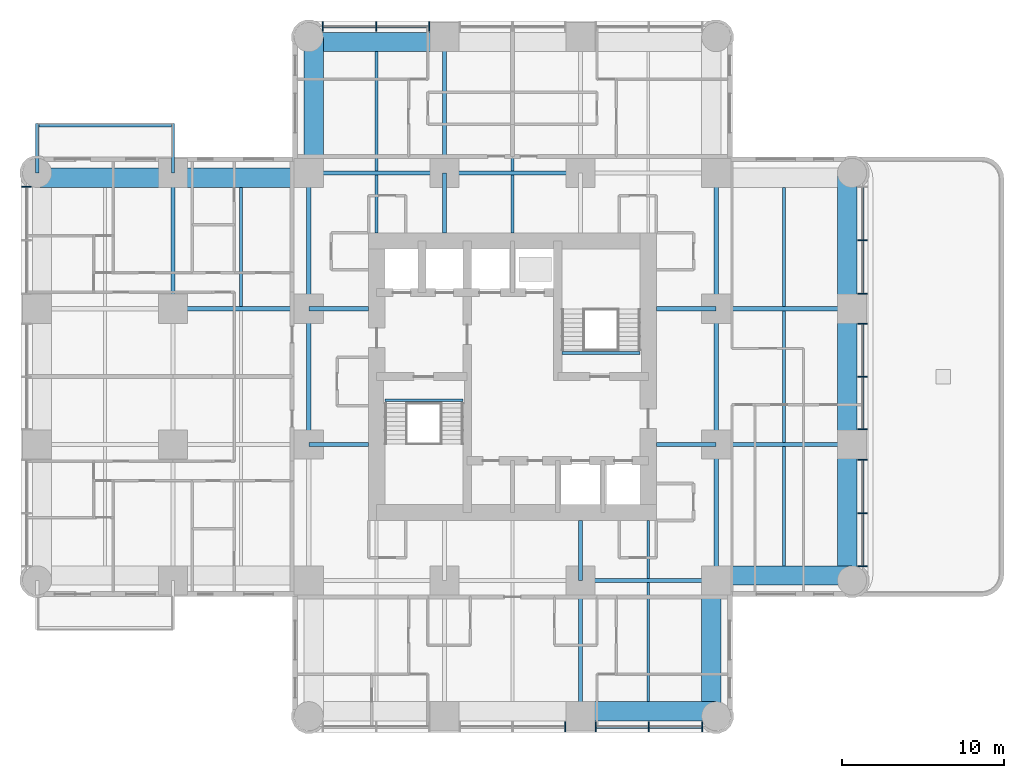
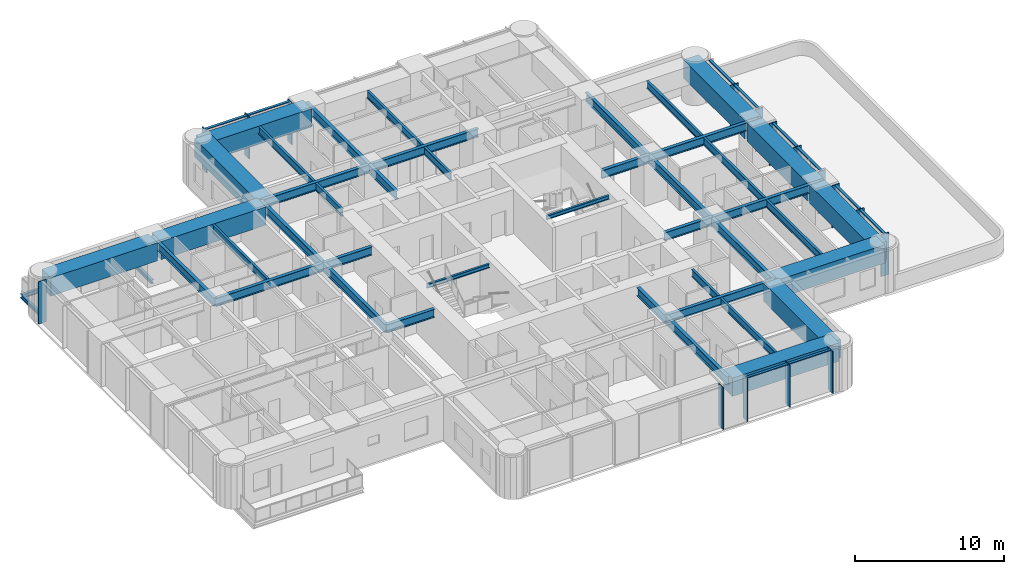
# One storey, part 2 of 12: 45 beams, 26 members, 4 elements without a shape of their own.
"""IFC4 building model written with IfcOpenShell, lengths in metres."""

import ifcopenshell
import ifcopenshell.guid

model = None  # the IFC model being written
_history = None  # IfcOwnerHistory: only IFC2X3 demands one
_inside = {}  # id of a spatial element -> (the spatial element, [elements in it])
_under = {}  # id of a project, library or spatial element -> (it, [spatial elements below it])
_declared = {}  # id of a project -> (the project, [libraries it declares])
_typed = {}  # id of a type object -> (the type object, [elements of that type])
_made_of = {}  # id of a material, layer set ... -> (it, [elements and type objects made of it])


def new_model(schema):
    """Start an empty IFC model of exactly this schema.

    Asked for "IFC4X3", IfcOpenShell would pick the latest addendum, in which some entities
    have other attributes; the version numbers below select the first issue.
    IFC2X3 requires an IfcOwnerHistory on every rooted entity: one is made here for all.
    """
    global model, _history
    if schema == "IFC4X3":
        model = ifcopenshell.file(schema_version=(4, 3, 0, 0))
    else:
        model = ifcopenshell.file(schema=schema)
    _inside.clear()
    _under.clear()
    _declared.clear()
    _typed.clear()
    _made_of.clear()
    _history = None
    if model.schema == "IFC2X3":
        org = make("IfcOrganization", Name="unknown")
        user = make(
            "IfcPersonAndOrganization",
            ThePerson=make("IfcPerson", FamilyName="unknown"),
            TheOrganization=org,
        )
        app = make(
            "IfcApplication",
            ApplicationDeveloper=org,
            Version="unknown",
            ApplicationFullName="unknown",
            ApplicationIdentifier="unknown",
        )
        _history = make(
            "IfcOwnerHistory",
            OwningUser=user,
            OwningApplication=app,
            ChangeAction="ADDED",
            CreationDate=0,
        )
    return model


def make(cls, **values):
    """One entity of the class cls with the attributes given. An attribute that is None is left unset."""
    return model.create_entity(
        cls, **{name: value for name, value in values.items() if value is not None}
    )


def rooted(cls, **values):
    """An entity with a GlobalId (a new one), such as an element, a storey or a relation."""
    return make(cls, GlobalId=ifcopenshell.guid.new(), OwnerHistory=_history, **values)


def si_unit(unit_type, name, prefix=None):
    """IfcSIUnit, for example si_unit("LENGTHUNIT", "METRE", prefix="MILLI")."""
    return make("IfcSIUnit", UnitType=unit_type, Prefix=prefix, Name=name)


def assignment(units):
    """IfcUnitAssignment: the units of a project."""
    return None if units is None else make("IfcUnitAssignment", Units=units)


def point(xyz):
    """IfcCartesianPoint."""
    return None if xyz is None else make("IfcCartesianPoint", Coordinates=xyz)


def direction(xyz):
    """IfcDirection."""
    return None if xyz is None else make("IfcDirection", DirectionRatios=xyz)


def frame(location, z_axis=None, x_axis=None):
    """IfcAxis2Placement3D, a coordinate frame: its origin and axes. An axis left out is left unset."""
    return make(
        "IfcAxis2Placement3D",
        Location=point(location),
        Axis=direction(z_axis),
        RefDirection=direction(x_axis),
    )


def frame_2d(location, x_axis=None):
    """IfcAxis2Placement2D, a coordinate frame in the plane: its origin and x axis."""
    return make(
        "IfcAxis2Placement2D", Location=point(location), RefDirection=direction(x_axis)
    )


def origin():
    """The frame at (0, 0, 0) with its axes left unset."""
    return frame((0.0, 0.0, 0.0))


def origin_2d():
    """The frame at (0, 0) in the plane with its x axis left unset."""
    return frame_2d((0.0, 0.0))


def place(relative_to, where):
    """IfcLocalPlacement: puts the frame where relative to a parent placement (None: the world)."""
    return make(
        "IfcLocalPlacement", PlacementRelTo=relative_to, RelativePlacement=where
    )


def context(
    kind, dimensions, precision=None, world=None, true_north=None, identifier=None
):
    """IfcGeometricRepresentationContext, for example the 3D "Model" context."""
    return make(
        "IfcGeometricRepresentationContext",
        ContextIdentifier=identifier,
        ContextType=kind,
        CoordinateSpaceDimension=dimensions,
        Precision=precision,
        WorldCoordinateSystem=world,
        TrueNorth=true_north,
    )


def subcontext(parent, identifier, kind, view, scale=None):
    """IfcGeometricRepresentationSubContext, for example "Body" below "Model"."""
    return make(
        "IfcGeometricRepresentationSubContext",
        ContextIdentifier=identifier,
        ContextType=kind,
        ParentContext=parent,
        TargetScale=scale,
        TargetView=view,
    )


def project(units=None, contexts=None):
    """IfcProject with its units and contexts."""
    return rooted(
        "IfcProject",
        Name="project",
        RepresentationContexts=contexts,
        UnitsInContext=assignment(units),
    )


def spatial(cls, under=None, at=None, **own):
    """A site, building, storey or space (cls), placed at a placement, below another one or the project."""
    s = rooted(cls, ObjectPlacement=at, **own)
    if under is not None:
        _under.setdefault(under.id(), (under, []))[1].append(s)
    return s


def profile(cls, at=None, kind="AREA", **sizes):
    """A parametric profile (cls). Its sizes go by their IFC names, for example OverallWidth=200.0."""
    return make(cls, ProfileType=kind, Position=at, **sizes)


def rectangle(**sizes):
    """IfcRectangleProfileDef."""
    return profile("IfcRectangleProfileDef", **sizes)


def i_section(**sizes):
    """IfcIShapeProfileDef."""
    return profile("IfcIShapeProfileDef", **sizes)


def extrude(swept, where, along, depth):
    """IfcExtrudedAreaSolid: the profile swept, set in the frame where, extruded along a direction by depth."""
    return make(
        "IfcExtrudedAreaSolid",
        SweptArea=swept,
        Position=where,
        ExtrudedDirection=direction(along),
        Depth=depth,
    )


def shape(context_of_items, identifier, shape_type, items):
    """IfcShapeRepresentation: the items that make up one representation, for example the "Body"."""
    return make(
        "IfcShapeRepresentation",
        ContextOfItems=context_of_items,
        RepresentationIdentifier=identifier,
        RepresentationType=shape_type,
        Items=items,
    )


def material(Name=None, Category=None):
    """IfcMaterial."""
    return make("IfcMaterial", Name=Name, Category=Category)


def material_profile(
    of_material, cross_section, Name=None, Category=None, Priority=None
):
    """IfcMaterialProfile: a cross section and its material."""
    return make(
        "IfcMaterialProfile",
        Name=Name,
        Material=of_material,
        Profile=cross_section,
        Priority=Priority,
        Category=Category,
    )


def profile_set(profiles, Name=None, composite=None):
    """IfcMaterialProfileSet."""
    return make(
        "IfcMaterialProfileSet",
        Name=Name,
        MaterialProfiles=profiles,
        CompositeProfile=composite,
    )


def made_of(thing, what):
    """Note that an element or type object is made of a material, layer set ...; save() writes the relation."""
    if what is not None:
        _made_of.setdefault(what.id(), (what, []))[1].append(thing)
    return thing


def type_object(cls, material=None, **own):
    """A type object (cls), such as IfcWallType, which elements share."""
    return made_of(rooted(cls, **own), material)


def element(
    cls,
    number,
    at=None,
    inside=None,
    cuts=None,
    type_object=None,
    material=None,
    context=None,
    identifier="Body",
    shape_type=None,
    held_by="IfcProductDefinitionShape",
    body=None,
    shapes=None,
    **own,
):
    """One element of the class cls, such as IfcWall. Its Tag is "e" and its number.

    at: its placement. inside: the storey or other place that contains it. cuts: it is an
    opening in that element (IfcRelVoidsElement). A single representation is given by context,
    identifier, shape_type and body (its items); several are given by shapes. held_by: the class
    of the entity that holds the representations. save() writes the other relations.
    """
    e = rooted(cls, Tag="e%d" % number, ObjectPlacement=at, **own)
    if body is not None:
        shapes = [shape(context, identifier, shape_type, body)]
    if shapes is not None:
        e.Representation = make(held_by, Representations=shapes)
    if inside is not None:
        _inside.setdefault(inside.id(), (inside, []))[1].append(e)
    if cuts is not None:
        rooted(
            "IfcRelVoidsElement", RelatingBuildingElement=cuts, RelatedOpeningElement=e
        )
    if type_object is not None:
        _typed.setdefault(type_object.id(), (type_object, []))[1].append(e)
    return made_of(e, material)


def aggregate(whole, parts):
    """IfcRelAggregates: a whole, such as a stair, and the parts it consists of."""
    return rooted("IfcRelAggregates", RelatingObject=whole, RelatedObjects=parts)


def save(model, path):
    """Write the relations noted so far, then the file.

    IfcRelAggregates (storeys below a building ...), IfcRelContainedInSpatialStructure (elements
    in a storey), IfcRelDefinesByType, IfcRelAssociatesMaterial and IfcRelDeclares: one each for
    every whole, place, type object, material and project.
    """
    for whole, parts in _under.values():
        aggregate(whole, parts)
    for where, things in _inside.values():
        rooted(
            "IfcRelContainedInSpatialStructure",
            RelatedElements=things,
            RelatingStructure=where,
        )
    for kind, things in _typed.values():
        rooted("IfcRelDefinesByType", RelatedObjects=things, RelatingType=kind)
    for what, things in _made_of.values():
        rooted("IfcRelAssociatesMaterial", RelatedObjects=things, RelatingMaterial=what)
    for by, libraries in _declared.values():
        rooted("IfcRelDeclares", RelatingContext=by, RelatedDefinitions=libraries)
    model.write(path)


model = new_model("IFC4")

# Units and contexts
model_context = context("Model", 3, precision=1e-05, world=origin(), true_north=direction((0.0, 1.0)))
body_context = subcontext(model_context, "Body", "Model", "MODEL_VIEW")
ifc_project = project(units=[si_unit("LENGTHUNIT", "METRE"), si_unit("AREAUNIT", "SQUARE_METRE"), si_unit("VOLUMEUNIT", "CUBIC_METRE"), si_unit("PLANEANGLEUNIT", "RADIAN"), si_unit("MASSUNIT", "GRAM", prefix="KILO")], contexts=[model_context])

# Site, building, storey
site_placement = place(None, origin())
site = spatial("IfcSite", under=ifc_project, at=site_placement, CompositionType="ELEMENT")
building_placement = place(site_placement, origin())
building = spatial("IfcBuilding", under=site, at=building_placement, Name="Torre Alcanfor", CompositionType="ELEMENT")
storey_placement = place(building_placement, frame((0.0, 0.0, 183.300048828125)))
storey = spatial("IfcBuildingStorey", under=building, at=storey_placement, Name="L47", CompositionType="ELEMENT", Elevation=183.300048828125)

# Beams
ifc_material_1 = material(Name="Steel ASTM A992 Grade 50", Category="steel")
ifc_material_profile_1 = material_profile(ifc_material_1, i_section(OverallWidth=0.205322265625, OverallDepth=0.309814453125, WebThickness=0.00927734375, FlangeThickness=0.016357421875, at=origin_2d()), Name="W12x50")
ifc_profile_set_1 = profile_set([ifc_material_profile_1], Name="Steel ASTM A992 Grade 50")
beam_type_1 = type_object("IfcBeamType", Name="Balcony cantilever beam W12x50", PredefinedType="BEAM", material=ifc_profile_set_1)
for number, where, z_axis, x_axis, name in (
    (1, (8.39990234375, 42.0, -0.35498046875), (0.0, 1.0, 0.0), (-1.0, 0.0, 0.0), "Balcony cantilever beam L47-W2 1"),
    (2, (0.0, 42.0, -0.35498046875), (0.0, 1.0, 0.0), (-1.0, 0.0, 0.0), "Balcony cantilever beam L47-W2 2"),
):
    element("IfcBeam", number, at=place(storey_placement, frame(where, z_axis=z_axis, x_axis=x_axis)), inside=storey, type_object=beam_type_1, Name=name, PredefinedType="BEAM", context=body_context, shape_type="SweptSolid", body=[
        extrude(i_section(OverallWidth=0.205322265625, OverallDepth=0.309814453125, WebThickness=0.00927734375, FlangeThickness=0.016357421875, at=origin_2d()), origin(), (0.0, 0.0, 1.0), 3.050048828125),
    ])
ifc_material_2 = material(Name="Steel ASTM A992 Grade 50", Category="steel")
ifc_material_profile_2 = material_profile(ifc_material_2, i_section(OverallWidth=0.203369140625, OverallDepth=0.30224609375, WebThickness=0.007568359375, FlangeThickness=0.01318359375, at=origin_2d()), Name="W12x40")
ifc_profile_set_2 = profile_set([ifc_material_profile_2], Name="Steel ASTM A992 Grade 50")
beam_type_2 = type_object("IfcBeamType", Name="Balcony edge trimmer W12x40", PredefinedType="BEAM", material=ifc_profile_set_2)
beam_1_placement = place(storey_placement, frame((8.39990234375, 44.9482421875, -0.35107421875), z_axis=(-1.0, 0.0, 0.0), x_axis=(0.0, -1.0, 0.0)))
element("IfcBeam", 3, at=beam_1_placement, inside=storey, type_object=beam_type_2, Name="Balcony edge trimmer L47-W2", PredefinedType="BEAM", context=body_context, shape_type="SweptSolid", body=[
    extrude(i_section(OverallWidth=0.203369140625, OverallDepth=0.30224609375, WebThickness=0.007568359375, FlangeThickness=0.01318359375, at=origin_2d()), origin(), (0.0, 0.0, 1.0), 8.39990234375),
])

# Curtain wall, member
ifc_material_3 = material(Name="Aluminium and glass", Category="aluminium")
curtain_wall_type = type_object("IfcCurtainWallType", Name="CW-A unitised apartment glazing with vertical FIN", PredefinedType="NOTDEFINED", material=ifc_material_3)
curtain_wall_1_placement = place(storey_placement, origin())
curtain_wall_1 = element("IfcCurtainWall", 4, at=curtain_wall_1_placement, inside=storey, type_object=curtain_wall_type, Name="Curtain wall CW-A L47 2", PredefinedType="NOTDEFINED")
ifc_material_4 = material(Name="Bronze anodised aluminium", Category="aluminium")
ifc_material_profile_3 = material_profile(ifc_material_4, rectangle(XDim=0.60009765625, YDim=0.06494140625, at=origin_2d()), Name="CW-A mullion 65x600")
ifc_profile_set_3 = profile_set([ifc_material_profile_3], Name="Bronze anodised aluminium")
member_type_1 = type_object("IfcMemberType", Name="CW-A mullion with vertical FIN 65x600", PredefinedType="MULLION", material=ifc_profile_set_3)
member_1_placement = place(storey_placement, frame((-0.64990234375, 41.133056640625, 0.0), z_axis=(0.0, 0.0, 1.0), x_axis=(1.0, 0.0, 0.0)))
member_1 = element("IfcMember", 5, at=member_1_placement, type_object=member_type_1, Name="CW-A mullion 1.1", PredefinedType="MULLION", context=body_context, shape_type="SweptSolid", body=[
    extrude(rectangle(XDim=0.60009765625, YDim=0.06494140625, at=origin_2d()), origin(), (0.0, 0.0, 1.0), 3.449951171875),
])
aggregate(curtain_wall_1, [member_1])

# Curtain wall, members
curtain_wall_2_placement = place(storey_placement, origin())
curtain_wall_2 = element("IfcCurtainWall", 6, at=curtain_wall_2_placement, inside=storey, type_object=curtain_wall_type, Name="Curtain wall CW-A L47 5", PredefinedType="NOTDEFINED")
member_2_placement = place(storey_placement, frame((32.66259765625, 7.75, 0.0), z_axis=(0.0, 0.0, 1.0), x_axis=(0.0, 1.0, 0.0)))
member_2 = element("IfcMember", 7, at=member_2_placement, type_object=member_type_1, Name="CW-A mullion 2.3", PredefinedType="MULLION", context=body_context, shape_type="SweptSolid", body=[
    extrude(rectangle(XDim=0.60009765625, YDim=0.06494140625, at=origin_2d()), origin(), (0.0, 0.0, 1.0), 3.449951171875),
])
member_3_placement = place(storey_placement, frame((34.53759765625, 7.75, 0.0), z_axis=(0.0, 0.0, 1.0), x_axis=(0.0, 1.0, 0.0)))
member_3 = element("IfcMember", 8, at=member_3_placement, type_object=member_type_1, Name="CW-A mullion 3.1", PredefinedType="MULLION", context=body_context, shape_type="SweptSolid", body=[
    extrude(rectangle(XDim=0.60009765625, YDim=0.06494140625, at=origin_2d()), origin(), (0.0, 0.0, 1.0), 3.449951171875),
])
member_4_placement = place(storey_placement, frame((37.835205078125, 7.75, 0.0), z_axis=(0.0, 0.0, 1.0), x_axis=(0.0, 1.0, 0.0)))
member_4 = element("IfcMember", 9, at=member_4_placement, type_object=member_type_1, Name="CW-A mullion 3.2", PredefinedType="MULLION", context=body_context, shape_type="SweptSolid", body=[
    extrude(rectangle(XDim=0.60009765625, YDim=0.06494140625, at=origin_2d()), origin(), (0.0, 0.0, 1.0), 3.449951171875),
])
member_5_placement = place(storey_placement, frame((41.133056640625, 7.75, 0.0), z_axis=(0.0, 0.0, 1.0), x_axis=(0.0, 1.0, 0.0)))
member_5 = element("IfcMember", 10, at=member_5_placement, type_object=member_type_1, Name="CW-A mullion 3.3", PredefinedType="MULLION", context=body_context, shape_type="SweptSolid", body=[
    extrude(rectangle(XDim=0.60009765625, YDim=0.06494140625, at=origin_2d()), origin(), (0.0, 0.0, 1.0), 3.449951171875),
])

curtain_wall_3_placement = place(storey_placement, origin())
curtain_wall_3 = element("IfcCurtainWall", 11, at=curtain_wall_3_placement, inside=storey, type_object=curtain_wall_type, Name="Curtain wall CW-A L47 8", PredefinedType="NOTDEFINED")
member_6_placement = place(storey_placement, frame((51.050048828125, 17.6669921875, 0.0), z_axis=(0.0, 0.0, 1.0), x_axis=(-1.0, 0.0, 0.0)))
member_6 = element("IfcMember", 12, at=member_6_placement, type_object=member_type_1, Name="CW-A mullion 1.1", PredefinedType="MULLION", context=body_context, shape_type="SweptSolid", body=[
    extrude(rectangle(XDim=0.60009765625, YDim=0.06494140625, at=origin_2d()), origin(), (0.0, 0.0, 1.0), 3.449951171875),
])
member_7_placement = place(storey_placement, frame((51.050048828125, 20.96484375, 0.0), z_axis=(0.0, 0.0, 1.0), x_axis=(-1.0, 0.0, 0.0)))
member_7 = element("IfcMember", 13, at=member_7_placement, type_object=member_type_1, Name="CW-A mullion 1.2", PredefinedType="MULLION", context=body_context, shape_type="SweptSolid", body=[
    extrude(rectangle(XDim=0.60009765625, YDim=0.06494140625, at=origin_2d()), origin(), (0.0, 0.0, 1.0), 3.449951171875),
])
member_8_placement = place(storey_placement, frame((51.050048828125, 24.262451171875, 0.0), z_axis=(0.0, 0.0, 1.0), x_axis=(-1.0, 0.0, 0.0)))
member_8 = element("IfcMember", 14, at=member_8_placement, type_object=member_type_1, Name="CW-A mullion 1.3", PredefinedType="MULLION", context=body_context, shape_type="SweptSolid", body=[
    extrude(rectangle(XDim=0.60009765625, YDim=0.06494140625, at=origin_2d()), origin(), (0.0, 0.0, 1.0), 3.449951171875),
])
member_9_placement = place(storey_placement, frame((51.050048828125, 26.137451171875, 0.0), z_axis=(0.0, 0.0, 1.0), x_axis=(-1.0, 0.0, 0.0)))
member_9 = element("IfcMember", 15, at=member_9_placement, type_object=member_type_1, Name="CW-A mullion 2.1", PredefinedType="MULLION", context=body_context, shape_type="SweptSolid", body=[
    extrude(rectangle(XDim=0.60009765625, YDim=0.06494140625, at=origin_2d()), origin(), (0.0, 0.0, 1.0), 3.449951171875),
])
member_10_placement = place(storey_placement, frame((51.050048828125, 29.39990234375, 0.0), z_axis=(0.0, 0.0, 1.0), x_axis=(-1.0, 0.0, 0.0)))
member_10 = element("IfcMember", 16, at=member_10_placement, type_object=member_type_1, Name="CW-A mullion 2.2", PredefinedType="MULLION", context=body_context, shape_type="SweptSolid", body=[
    extrude(rectangle(XDim=0.60009765625, YDim=0.06494140625, at=origin_2d()), origin(), (0.0, 0.0, 1.0), 3.449951171875),
])
member_11_placement = place(storey_placement, frame((51.050048828125, 32.66259765625, 0.0), z_axis=(0.0, 0.0, 1.0), x_axis=(-1.0, 0.0, 0.0)))
member_11 = element("IfcMember", 17, at=member_11_placement, type_object=member_type_1, Name="CW-A mullion 2.3", PredefinedType="MULLION", context=body_context, shape_type="SweptSolid", body=[
    extrude(rectangle(XDim=0.60009765625, YDim=0.06494140625, at=origin_2d()), origin(), (0.0, 0.0, 1.0), 3.449951171875),
])
member_12_placement = place(storey_placement, frame((51.050048828125, 34.53759765625, 0.0), z_axis=(0.0, 0.0, 1.0), x_axis=(-1.0, 0.0, 0.0)))
member_12 = element("IfcMember", 18, at=member_12_placement, type_object=member_type_1, Name="CW-A mullion 3.1", PredefinedType="MULLION", context=body_context, shape_type="SweptSolid", body=[
    extrude(rectangle(XDim=0.60009765625, YDim=0.06494140625, at=origin_2d()), origin(), (0.0, 0.0, 1.0), 3.449951171875),
])
member_13_placement = place(storey_placement, frame((51.050048828125, 37.835205078125, 0.0), z_axis=(0.0, 0.0, 1.0), x_axis=(-1.0, 0.0, 0.0)))
member_13 = element("IfcMember", 19, at=member_13_placement, type_object=member_type_1, Name="CW-A mullion 3.2", PredefinedType="MULLION", context=body_context, shape_type="SweptSolid", body=[
    extrude(rectangle(XDim=0.60009765625, YDim=0.06494140625, at=origin_2d()), origin(), (0.0, 0.0, 1.0), 3.449951171875),
])

curtain_wall_4_placement = place(storey_placement, origin())
curtain_wall_4 = element("IfcCurtainWall", 20, at=curtain_wall_4_placement, inside=storey, type_object=curtain_wall_type, Name="Curtain wall CW-A L47 11", PredefinedType="NOTDEFINED")
member_14_placement = place(storey_placement, frame((24.262451171875, 51.050048828125, 0.0), z_axis=(0.0, 0.0, 1.0), x_axis=(0.0, -1.0, 0.0)))
member_14 = element("IfcMember", 21, at=member_14_placement, type_object=member_type_1, Name="CW-A mullion 3.1", PredefinedType="MULLION", context=body_context, shape_type="SweptSolid", body=[
    extrude(rectangle(XDim=0.60009765625, YDim=0.06494140625, at=origin_2d()), origin(), (0.0, 0.0, 1.0), 3.449951171875),
])
member_15_placement = place(storey_placement, frame((20.96484375, 51.050048828125, 0.0), z_axis=(0.0, 0.0, 1.0), x_axis=(0.0, -1.0, 0.0)))
member_15 = element("IfcMember", 22, at=member_15_placement, type_object=member_type_1, Name="CW-A mullion 3.2", PredefinedType="MULLION", context=body_context, shape_type="SweptSolid", body=[
    extrude(rectangle(XDim=0.60009765625, YDim=0.06494140625, at=origin_2d()), origin(), (0.0, 0.0, 1.0), 3.449951171875),
])
member_16_placement = place(storey_placement, frame((17.6669921875, 51.050048828125, 0.0), z_axis=(0.0, 0.0, 1.0), x_axis=(0.0, -1.0, 0.0)))
member_16 = element("IfcMember", 23, at=member_16_placement, type_object=member_type_1, Name="CW-A mullion 3.3", PredefinedType="MULLION", context=body_context, shape_type="SweptSolid", body=[
    extrude(rectangle(XDim=0.60009765625, YDim=0.06494140625, at=origin_2d()), origin(), (0.0, 0.0, 1.0), 3.449951171875),
])

# Member
ifc_material_5 = material(Name="Extruded aluminium", Category="aluminium")
ifc_material_profile_4 = material_profile(ifc_material_5, rectangle(XDim=0.199951171875, YDim=0.06494140625, at=origin_2d()), Name="CW-A transom 200x65")
ifc_profile_set_4 = profile_set([ifc_material_profile_4], Name="Extruded aluminium")
member_type_2 = type_object("IfcMemberType", Name="CW-A transom 65x200", PredefinedType="USERDEFINED", material=ifc_profile_set_4)
member_17_placement = place(storey_placement, frame((34.570068359375, 7.75, 3.41748046875), z_axis=(1.0, 0.0, 0.0), x_axis=(0.0, 1.0, 0.0)))
member_17 = element("IfcMember", 24, at=member_17_placement, type_object=member_type_2, Name="CW-A transom 3.1.2", ObjectType="TRANSOM", PredefinedType="USERDEFINED", context=body_context, shape_type="SweptSolid", body=[
    extrude(rectangle(XDim=0.199951171875, YDim=0.06494140625, at=origin_2d()), origin(), (0.0, 0.0, 1.0), 3.232666015625),
])

member_18_placement = place(storey_placement, frame((37.86767578125, 7.75, 3.41748046875), z_axis=(1.0, 0.0, 0.0), x_axis=(0.0, 1.0, 0.0)))
member_18 = element("IfcMember", 25, at=member_18_placement, type_object=member_type_2, Name="CW-A transom 3.2.2", ObjectType="TRANSOM", PredefinedType="USERDEFINED", context=body_context, shape_type="SweptSolid", body=[
    extrude(rectangle(XDim=0.199951171875, YDim=0.06494140625, at=origin_2d()), origin(), (0.0, 0.0, 1.0), 3.23291015625),
])

aggregate(curtain_wall_2, [member_2, member_3, member_4, member_5, member_17, member_18])

member_19_placement = place(storey_placement, frame((51.050048828125, 17.699462890625, 3.41748046875), z_axis=(0.0, 1.0, 0.0), x_axis=(-1.0, 0.0, 0.0)))
member_19 = element("IfcMember", 26, at=member_19_placement, type_object=member_type_2, Name="CW-A transom 1.1.2", ObjectType="TRANSOM", PredefinedType="USERDEFINED", context=body_context, shape_type="SweptSolid", body=[
    extrude(rectangle(XDim=0.199951171875, YDim=0.06494140625, at=origin_2d()), origin(), (0.0, 0.0, 1.0), 3.232666015625),
])

member_20_placement = place(storey_placement, frame((51.050048828125, 20.997314453125, 3.41748046875), z_axis=(0.0, 1.0, 0.0), x_axis=(-1.0, 0.0, 0.0)))
member_20 = element("IfcMember", 27, at=member_20_placement, type_object=member_type_2, Name="CW-A transom 1.2.2", ObjectType="TRANSOM", PredefinedType="USERDEFINED", context=body_context, shape_type="SweptSolid", body=[
    extrude(rectangle(XDim=0.199951171875, YDim=0.06494140625, at=origin_2d()), origin(), (0.0, 0.0, 1.0), 3.232666015625),
])

member_21_placement = place(storey_placement, frame((51.050048828125, 26.169921875, 3.41748046875), z_axis=(0.0, 1.0, 0.0), x_axis=(-1.0, 0.0, 0.0)))
member_21 = element("IfcMember", 28, at=member_21_placement, type_object=member_type_2, Name="CW-A transom 2.1.2", ObjectType="TRANSOM", PredefinedType="USERDEFINED", context=body_context, shape_type="SweptSolid", body=[
    extrude(rectangle(XDim=0.199951171875, YDim=0.06494140625, at=origin_2d()), origin(), (0.0, 0.0, 1.0), 3.197509765625),
])

member_22_placement = place(storey_placement, frame((51.050048828125, 29.4326171875, 3.41748046875), z_axis=(0.0, 1.0, 0.0), x_axis=(-1.0, 0.0, 0.0)))
member_22 = element("IfcMember", 29, at=member_22_placement, type_object=member_type_2, Name="CW-A transom 2.2.2", ObjectType="TRANSOM", PredefinedType="USERDEFINED", context=body_context, shape_type="SweptSolid", body=[
    extrude(rectangle(XDim=0.199951171875, YDim=0.06494140625, at=origin_2d()), origin(), (0.0, 0.0, 1.0), 3.197265625),
])

member_23_placement = place(storey_placement, frame((51.050048828125, 34.570068359375, 3.41748046875), z_axis=(0.0, 1.0, 0.0), x_axis=(-1.0, 0.0, 0.0)))
member_23 = element("IfcMember", 30, at=member_23_placement, type_object=member_type_2, Name="CW-A transom 3.1.2", ObjectType="TRANSOM", PredefinedType="USERDEFINED", context=body_context, shape_type="SweptSolid", body=[
    extrude(rectangle(XDim=0.199951171875, YDim=0.06494140625, at=origin_2d()), origin(), (0.0, 0.0, 1.0), 3.232666015625),
])

member_24_placement = place(storey_placement, frame((51.050048828125, 37.86767578125, 3.41748046875), z_axis=(0.0, 1.0, 0.0), x_axis=(-1.0, 0.0, 0.0)))
member_24 = element("IfcMember", 31, at=member_24_placement, type_object=member_type_2, Name="CW-A transom 3.2.2", ObjectType="TRANSOM", PredefinedType="USERDEFINED", context=body_context, shape_type="SweptSolid", body=[
    extrude(rectangle(XDim=0.199951171875, YDim=0.06494140625, at=origin_2d()), origin(), (0.0, 0.0, 1.0), 3.23291015625),
])

aggregate(curtain_wall_3, [member_6, member_7, member_8, member_19, member_20, member_9, member_10, member_11, member_21, member_22, member_12, member_13, member_23, member_24])

member_25_placement = place(storey_placement, frame((24.22998046875, 51.050048828125, 3.41748046875), z_axis=(-1.0, 0.0, 0.0), x_axis=(0.0, -1.0, 0.0)))
member_25 = element("IfcMember", 32, at=member_25_placement, type_object=member_type_2, Name="CW-A transom 3.1.2", ObjectType="TRANSOM", PredefinedType="USERDEFINED", context=body_context, shape_type="SweptSolid", body=[
    extrude(rectangle(XDim=0.199951171875, YDim=0.06494140625, at=origin_2d()), origin(), (0.0, 0.0, 1.0), 3.232666015625),
])

member_26_placement = place(storey_placement, frame((20.93212890625, 51.050048828125, 3.41748046875), z_axis=(-1.0, 0.0, 0.0), x_axis=(0.0, -1.0, 0.0)))
member_26 = element("IfcMember", 33, at=member_26_placement, type_object=member_type_2, Name="CW-A transom 3.2.2", ObjectType="TRANSOM", PredefinedType="USERDEFINED", context=body_context, shape_type="SweptSolid", body=[
    extrude(rectangle(XDim=0.199951171875, YDim=0.06494140625, at=origin_2d()), origin(), (0.0, 0.0, 1.0), 3.232666015625),
])

aggregate(curtain_wall_4, [member_14, member_15, member_16, member_25, member_26])

# Beams
ifc_material_6 = material(Name="Steel ASTM A992 Grade 50", Category="steel")
ifc_material_profile_5 = material_profile(ifc_material_6, i_section(OverallWidth=0.25390625, OverallDepth=0.683349609375, WebThickness=0.012451171875, FlangeThickness=0.01904296875, at=origin_2d()), Name="W27x94")
ifc_profile_set_5 = profile_set([ifc_material_profile_5], Name="Steel ASTM A992 Grade 50")
beam_type_3 = type_object("IfcBeamType", Name="Girder W27x94", PredefinedType="BEAM", material=ifc_profile_set_5)
for number, where, z_axis, x_axis, name in (
    (34, (33.60009765625, 16.800048828125, 3.1083984375), (1.0, 0.0, 0.0), (0.0, 1.0, 0.0), "Beam 5E-6E under L48"),
    (35, (42.0, 25.199951171875, 3.1083984375), (1.0, 0.0, 0.0), (0.0, 1.0, 0.0), "Beam 6F-7F under L48"),
):
    element("IfcBeam", number, at=place(storey_placement, frame(where, z_axis=z_axis, x_axis=x_axis)), inside=storey, type_object=beam_type_3, Name=name, PredefinedType="BEAM", context=body_context, shape_type="SweptSolid", body=[
        extrude(i_section(OverallWidth=0.25390625, OverallDepth=0.683349609375, WebThickness=0.012451171875, FlangeThickness=0.01904296875, at=origin_2d()), origin(), (0.0, 0.0, 1.0), 8.39990234375),
    ])
beam_2_placement = place(storey_placement, frame((8.39990234375, 33.60009765625, 3.1083984375), z_axis=(1.0, 0.0, 0.0), x_axis=(0.0, 1.0, 0.0)))
element("IfcBeam", 36, at=beam_2_placement, inside=storey, type_object=beam_type_3, Name="Beam 2G-3G under L48", PredefinedType="BEAM", context=body_context, shape_type="SweptSolid", body=[
    extrude(i_section(OverallWidth=0.25390625, OverallDepth=0.683349609375, WebThickness=0.012451171875, FlangeThickness=0.01904296875, at=origin_2d()), origin(), (0.0, 0.0, 1.0), 8.400146484375),
])
for number, where, z_axis, x_axis, name in (
    (37, (42.0, 33.60009765625, 3.1083984375), (1.0, 0.0, 0.0), (0.0, 1.0, 0.0), "Beam 6G-7G under L48"),
    (38, (16.800048828125, 42.0, 3.1083984375), (1.0, 0.0, 0.0), (0.0, 1.0, 0.0), "Beam 3H-4H under L48"),
):
    element("IfcBeam", number, at=place(storey_placement, frame(where, z_axis=z_axis, x_axis=x_axis)), inside=storey, type_object=beam_type_3, Name=name, PredefinedType="BEAM", context=body_context, shape_type="SweptSolid", body=[
        extrude(i_section(OverallWidth=0.25390625, OverallDepth=0.683349609375, WebThickness=0.012451171875, FlangeThickness=0.01904296875, at=origin_2d()), origin(), (0.0, 0.0, 1.0), 8.39990234375),
    ])
beam_3_placement = place(storey_placement, frame((25.199951171875, 42.0, 3.1083984375), z_axis=(1.0, 0.0, 0.0), x_axis=(0.0, 1.0, 0.0)))
element("IfcBeam", 39, at=beam_3_placement, inside=storey, type_object=beam_type_3, Name="Beam 4H-5H under L48", PredefinedType="BEAM", context=body_context, shape_type="SweptSolid", body=[
    extrude(i_section(OverallWidth=0.25390625, OverallDepth=0.683349609375, WebThickness=0.012451171875, FlangeThickness=0.01904296875, at=origin_2d()), origin(), (0.0, 0.0, 1.0), 8.400146484375),
])
beam_4_placement = place(storey_placement, frame((8.39990234375, 33.60009765625, 3.1083984375), z_axis=(0.0, 1.0, 0.0), x_axis=(-1.0, 0.0, 0.0)))
element("IfcBeam", 40, at=beam_4_placement, inside=storey, type_object=beam_type_3, Name="Beam 2G-2H under L48", PredefinedType="BEAM", context=body_context, shape_type="SweptSolid", body=[
    extrude(i_section(OverallWidth=0.25390625, OverallDepth=0.683349609375, WebThickness=0.012451171875, FlangeThickness=0.01904296875, at=origin_2d()), origin(), (0.0, 0.0, 1.0), 8.39990234375),
])
beam_5_placement = place(storey_placement, frame((16.800048828125, 25.199951171875, 3.1083984375), z_axis=(0.0, 1.0, 0.0), x_axis=(-1.0, 0.0, 0.0)))
element("IfcBeam", 41, at=beam_5_placement, inside=storey, type_object=beam_type_3, Name="Beam 3F-3G under L48", PredefinedType="BEAM", context=body_context, shape_type="SweptSolid", body=[
    extrude(i_section(OverallWidth=0.25390625, OverallDepth=0.683349609375, WebThickness=0.012451171875, FlangeThickness=0.01904296875, at=origin_2d()), origin(), (0.0, 0.0, 1.0), 8.400146484375),
])
for number, where, z_axis, x_axis, name in (
    (42, (16.800048828125, 33.60009765625, 3.1083984375), (0.0, 1.0, 0.0), (-1.0, 0.0, 0.0), "Beam 3G-3H under L48"),
    (43, (25.199951171875, 42.0, 3.1083984375), (0.0, 1.0, 0.0), (-1.0, 0.0, 0.0), "Beam 4H-4J under L48"),
):
    element("IfcBeam", number, at=place(storey_placement, frame(where, z_axis=z_axis, x_axis=x_axis)), inside=storey, type_object=beam_type_3, Name=name, PredefinedType="BEAM", context=body_context, shape_type="SweptSolid", body=[
        extrude(i_section(OverallWidth=0.25390625, OverallDepth=0.683349609375, WebThickness=0.012451171875, FlangeThickness=0.01904296875, at=origin_2d()), origin(), (0.0, 0.0, 1.0), 8.39990234375),
    ])
beam_6_placement = place(storey_placement, frame((33.60009765625, 8.39990234375, 3.1083984375), z_axis=(0.0, 1.0, 0.0), x_axis=(-1.0, 0.0, 0.0)))
element("IfcBeam", 44, at=beam_6_placement, inside=storey, type_object=beam_type_3, Name="Beam 5D-5E under L48", PredefinedType="BEAM", context=body_context, shape_type="SweptSolid", body=[
    extrude(i_section(OverallWidth=0.25390625, OverallDepth=0.683349609375, WebThickness=0.012451171875, FlangeThickness=0.01904296875, at=origin_2d()), origin(), (0.0, 0.0, 1.0), 8.400146484375),
])
beam_7_placement = place(storey_placement, frame((42.0, 16.800048828125, 3.1083984375), z_axis=(0.0, 1.0, 0.0), x_axis=(-1.0, 0.0, 0.0)))
element("IfcBeam", 45, at=beam_7_placement, inside=storey, type_object=beam_type_3, Name="Beam 6E-6F under L48", PredefinedType="BEAM", context=body_context, shape_type="SweptSolid", body=[
    extrude(i_section(OverallWidth=0.25390625, OverallDepth=0.683349609375, WebThickness=0.012451171875, FlangeThickness=0.01904296875, at=origin_2d()), origin(), (0.0, 0.0, 1.0), 8.39990234375),
])
beam_8_placement = place(storey_placement, frame((42.0, 25.199951171875, 3.1083984375), z_axis=(0.0, 1.0, 0.0), x_axis=(-1.0, 0.0, 0.0)))
element("IfcBeam", 46, at=beam_8_placement, inside=storey, type_object=beam_type_3, Name="Beam 6F-6G under L48", PredefinedType="BEAM", context=body_context, shape_type="SweptSolid", body=[
    extrude(i_section(OverallWidth=0.25390625, OverallDepth=0.683349609375, WebThickness=0.012451171875, FlangeThickness=0.01904296875, at=origin_2d()), origin(), (0.0, 0.0, 1.0), 8.400146484375),
])
beam_9_placement = place(storey_placement, frame((42.0, 33.60009765625, 3.1083984375), z_axis=(0.0, 1.0, 0.0), x_axis=(-1.0, 0.0, 0.0)))
element("IfcBeam", 47, at=beam_9_placement, inside=storey, type_object=beam_type_3, Name="Beam 6G-6H under L48", PredefinedType="BEAM", context=body_context, shape_type="SweptSolid", body=[
    extrude(i_section(OverallWidth=0.25390625, OverallDepth=0.683349609375, WebThickness=0.012451171875, FlangeThickness=0.01904296875, at=origin_2d()), origin(), (0.0, 0.0, 1.0), 8.39990234375),
])
ifc_material_7 = material(Name="Steel ASTM A992 Grade 50", Category="steel")
ifc_material_profile_6 = material_profile(ifc_material_7, i_section(OverallWidth=0.25390625, OverallDepth=0.683349609375, WebThickness=0.012451171875, FlangeThickness=0.01904296875, at=origin_2d()), Name="W27x94")
ifc_profile_set_6 = profile_set([ifc_material_profile_6], Name="Steel ASTM A992 Grade 50")
beam_type_4 = type_object("IfcBeamType", Name="Girder, part bay W27x94", PredefinedType="BEAM", material=ifc_profile_set_6)
for number, where, z_axis, x_axis, name in (
    (48, (25.199951171875, 42.0, 3.1083984375), (0.0, -1.0, 0.0), (1.0, 0.0, 0.0), "Beam 4H-438_3 under L48"),
    (49, (33.60009765625, 16.800048828125, 3.1083984375), (0.0, 1.0, 0.0), (-1.0, 0.0, 0.0), "Beam 5E-520_5 under L48"),
    (50, (16.800048828125, 25.199951171875, 3.1083984375), (1.0, 0.0, 0.0), (0.0, 1.0, 0.0), "Beam 3F-20_5F under L48"),
    (51, (42.0, 25.199951171875, 3.1083984375), (-1.0, 0.0, 0.0), (0.0, -1.0, 0.0), "Beam 6F-38_3F under L48"),
    (52, (16.800048828125, 33.60009765625, 3.1083984375), (1.0, 0.0, 0.0), (0.0, 1.0, 0.0), "Beam 3G-20_5G under L48"),
    (53, (42.0, 33.60009765625, 3.1083984375), (-1.0, 0.0, 0.0), (0.0, -1.0, 0.0), "Beam 6G-38_3G under L48"),
):
    element("IfcBeam", number, at=place(storey_placement, frame(where, z_axis=z_axis, x_axis=x_axis)), inside=storey, type_object=beam_type_4, Name=name, PredefinedType="BEAM", context=body_context, shape_type="SweptSolid", body=[
        extrude(i_section(OverallWidth=0.25390625, OverallDepth=0.683349609375, WebThickness=0.012451171875, FlangeThickness=0.01904296875, at=origin_2d()), origin(), (0.0, 0.0, 1.0), 3.699951171875),
    ])
ifc_material_8 = material(Name="Concrete f'c 70 MPa", Category="concrete")
ifc_material_profile_7 = material_profile(ifc_material_8, rectangle(XDim=1.199951171875, YDim=1.5, at=origin_2d()), Name="1200x1500")
ifc_profile_set_7 = profile_set([ifc_material_profile_7], Name="Concrete f'c 70 MPa")
beam_type_5 = type_object("IfcBeamType", Name="RC perimeter beam 1200x1500", PredefinedType="BEAM", material=ifc_profile_set_7)
for number, where, z_axis, x_axis, name in (
    (54, (33.72705078125, 8.699951171875, 2.699951171875), (1.0, 0.0, 0.0), (0.0, 1.0, 0.0), "Beam 5D-6D under L48"),
    (55, (42.126953125, 17.10009765625, 2.699951171875), (1.0, 0.0, 0.0), (0.0, 1.0, 0.0), "Beam 6E-7E under L48"),
    (56, (0.0, 41.699951171875, 2.699951171875), (1.0, 0.0, 0.0), (0.0, 1.0, 0.0), "Beam 1H-2H under L48"),
):
    element("IfcBeam", number, at=place(storey_placement, frame(where, z_axis=z_axis, x_axis=x_axis)), inside=storey, type_object=beam_type_5, Name=name, PredefinedType="BEAM", context=body_context, shape_type="SweptSolid", body=[
        extrude(rectangle(XDim=1.199951171875, YDim=1.5, at=origin_2d()), origin(), (0.0, 0.0, 1.0), 8.27294921875),
    ])
beam_10_placement = place(storey_placement, frame((8.527099609375, 41.699951171875, 2.699951171875), z_axis=(1.0, 0.0, 0.0), x_axis=(0.0, 1.0, 0.0)))
element("IfcBeam", 57, at=beam_10_placement, inside=storey, type_object=beam_type_5, Name="Beam 2H-3H under L48", PredefinedType="BEAM", context=body_context, shape_type="SweptSolid", body=[
    extrude(rectangle(XDim=1.199951171875, YDim=1.5, at=origin_2d()), origin(), (0.0, 0.0, 1.0), 8.14599609375),
])
for number, where, z_axis, x_axis, name in (
    (58, (16.800048828125, 50.10009765625, 2.699951171875), (1.0, 0.0, 0.0), (0.0, 1.0, 0.0), "Beam 3J-4J under L48"),
    (59, (17.10009765625, 42.126953125, 2.699951171875), (0.0, 1.0, 0.0), (-1.0, 0.0, 0.0), "Beam 3H-3J under L48"),
):
    element("IfcBeam", number, at=place(storey_placement, frame(where, z_axis=z_axis, x_axis=x_axis)), inside=storey, type_object=beam_type_5, Name=name, PredefinedType="BEAM", context=body_context, shape_type="SweptSolid", body=[
        extrude(rectangle(XDim=1.199951171875, YDim=1.5, at=origin_2d()), origin(), (0.0, 0.0, 1.0), 8.27294921875),
    ])
beam_11_placement = place(storey_placement, frame((41.699951171875, 8.39990234375, 2.699951171875), z_axis=(0.0, 1.0, 0.0), x_axis=(-1.0, 0.0, 0.0)))
element("IfcBeam", 60, at=beam_11_placement, inside=storey, type_object=beam_type_5, Name="Beam 6D-6E under L48", PredefinedType="BEAM", context=body_context, shape_type="SweptSolid", body=[
    extrude(rectangle(XDim=1.199951171875, YDim=1.5, at=origin_2d()), origin(), (0.0, 0.0, 1.0), 8.273193359375),
])
beam_12_placement = place(storey_placement, frame((50.10009765625, 16.800048828125, 2.699951171875), z_axis=(0.0, 1.0, 0.0), x_axis=(-1.0, 0.0, 0.0)))
element("IfcBeam", 61, at=beam_12_placement, inside=storey, type_object=beam_type_5, Name="Beam 7E-7F under L48", PredefinedType="BEAM", context=body_context, shape_type="SweptSolid", body=[
    extrude(rectangle(XDim=1.199951171875, YDim=1.5, at=origin_2d()), origin(), (0.0, 0.0, 1.0), 8.27294921875),
])
beam_13_placement = place(storey_placement, frame((50.10009765625, 25.326904296875, 2.699951171875), z_axis=(0.0, 1.0, 0.0), x_axis=(-1.0, 0.0, 0.0)))
element("IfcBeam", 62, at=beam_13_placement, inside=storey, type_object=beam_type_5, Name="Beam 7F-7G under L48", PredefinedType="BEAM", context=body_context, shape_type="SweptSolid", body=[
    extrude(rectangle(XDim=1.199951171875, YDim=1.5, at=origin_2d()), origin(), (0.0, 0.0, 1.0), 8.14599609375),
])
beam_14_placement = place(storey_placement, frame((50.10009765625, 33.72705078125, 2.699951171875), z_axis=(0.0, 1.0, 0.0), x_axis=(-1.0, 0.0, 0.0)))
element("IfcBeam", 63, at=beam_14_placement, inside=storey, type_object=beam_type_5, Name="Beam 7G-7H under L48", PredefinedType="BEAM", context=body_context, shape_type="SweptSolid", body=[
    extrude(rectangle(XDim=1.199951171875, YDim=1.5, at=origin_2d()), origin(), (0.0, 0.0, 1.0), 8.27294921875),
])
ifc_material_9 = material(Name="Steel ASTM A992 Grade 50", Category="steel")
ifc_material_profile_8 = material_profile(ifc_material_9, i_section(OverallWidth=0.1787109375, OverallDepth=0.60205078125, WebThickness=0.010986328125, FlangeThickness=0.014892578125, at=origin_2d()), Name="W24x62")
ifc_profile_set_8 = profile_set([ifc_material_profile_8], Name="Steel ASTM A992 Grade 50")
beam_type_6 = type_object("IfcBeamType", Name="Secondary beam W24x62", PredefinedType="BEAM", material=ifc_profile_set_8)
for number, where, z_axis, x_axis, name in (
    (64, (12.60009765625, 33.72705078125, 3.14892578125), (0.0, 1.0, 0.0), (-1.0, 0.0, 0.0), "Beam 12_6G-12_6H under L48"),
    (65, (21.0, 42.126953125, 3.14892578125), (0.0, 1.0, 0.0), (-1.0, 0.0, 0.0), "Beam 21H-21J under L48"),
    (66, (29.39990234375, 42.126953125, 3.14892578125), (0.0, 1.0, 0.0), (-1.0, 0.0, 0.0), "Beam 29_4H-29_4J under L48"),
    (67, (37.800048828125, 9.300048828125, 3.14892578125), (0.0, 1.0, 0.0), (-1.0, 0.0, 0.0), "Beam 37_8D-37_8E under L48"),
    (68, (46.199951171875, 17.699951171875, 3.14892578125), (0.0, 1.0, 0.0), (-1.0, 0.0, 0.0), "Beam 46_2E-46_2F under L48"),
):
    element("IfcBeam", number, at=place(storey_placement, frame(where, z_axis=z_axis, x_axis=x_axis)), inside=storey, type_object=beam_type_6, Name=name, PredefinedType="BEAM", context=body_context, shape_type="SweptSolid", body=[
        extrude(i_section(OverallWidth=0.1787109375, OverallDepth=0.60205078125, WebThickness=0.010986328125, FlangeThickness=0.014892578125, at=origin_2d()), origin(), (0.0, 0.0, 1.0), 7.373046875),
    ])
beam_15_placement = place(storey_placement, frame((46.199951171875, 25.326904296875, 3.14892578125), z_axis=(0.0, 1.0, 0.0), x_axis=(-1.0, 0.0, 0.0)))
element("IfcBeam", 69, at=beam_15_placement, inside=storey, type_object=beam_type_6, Name="Beam 46_2F-46_2G under L48", PredefinedType="BEAM", context=body_context, shape_type="SweptSolid", body=[
    extrude(i_section(OverallWidth=0.1787109375, OverallDepth=0.60205078125, WebThickness=0.010986328125, FlangeThickness=0.014892578125, at=origin_2d()), origin(), (0.0, 0.0, 1.0), 8.14599609375),
])
beam_16_placement = place(storey_placement, frame((46.199951171875, 33.72705078125, 3.14892578125), z_axis=(0.0, 1.0, 0.0), x_axis=(-1.0, 0.0, 0.0)))
element("IfcBeam", 70, at=beam_16_placement, inside=storey, type_object=beam_type_6, Name="Beam 46_2G-46_2H under L48", PredefinedType="BEAM", context=body_context, shape_type="SweptSolid", body=[
    extrude(i_section(OverallWidth=0.1787109375, OverallDepth=0.60205078125, WebThickness=0.010986328125, FlangeThickness=0.014892578125, at=origin_2d()), origin(), (0.0, 0.0, 1.0), 7.373046875),
])
ifc_material_10 = material(Name="Steel ASTM A992 Grade 50", Category="steel")
ifc_material_profile_9 = material_profile(ifc_material_10, i_section(OverallWidth=0.1787109375, OverallDepth=0.60205078125, WebThickness=0.010986328125, FlangeThickness=0.014892578125, at=origin_2d()), Name="W24x62")
ifc_profile_set_9 = profile_set([ifc_material_profile_9], Name="Steel ASTM A992 Grade 50")
beam_type_7 = type_object("IfcBeamType", Name="Secondary beam, part bay W24x62", PredefinedType="BEAM", material=ifc_profile_set_9)
for number, where, z_axis, x_axis, name in (
    (71, (21.0, 38.300048828125, 3.14892578125), (0.0, 1.0, 0.0), (-1.0, 0.0, 0.0), "Beam 2138_3-21H under L48"),
    (72, (29.39990234375, 38.300048828125, 3.14892578125), (0.0, 1.0, 0.0), (-1.0, 0.0, 0.0), "Beam 29_438_3-29_4H under L48"),
    (73, (37.800048828125, 16.927001953125, 3.14892578125), (0.0, 1.0, 0.0), (-1.0, 0.0, 0.0), "Beam 37_8E-37_820_5 under L48"),
):
    element("IfcBeam", number, at=place(storey_placement, frame(where, z_axis=z_axis, x_axis=x_axis)), inside=storey, type_object=beam_type_7, Name=name, PredefinedType="BEAM", context=body_context, shape_type="SweptSolid", body=[
        extrude(i_section(OverallWidth=0.1787109375, OverallDepth=0.60205078125, WebThickness=0.010986328125, FlangeThickness=0.014892578125, at=origin_2d()), origin(), (0.0, 0.0, 1.0), 3.572998046875),
    ])
ifc_material_11 = material(Name="Steel ASTM A992 Grade 50", Category="steel")
ifc_material_profile_10 = material_profile(ifc_material_11, i_section(OverallWidth=0.164794921875, OverallDepth=0.309814453125, WebThickness=0.005859375, FlangeThickness=0.009765625, at=origin_2d()), Name="W12x26")
ifc_profile_set_10 = profile_set([ifc_material_profile_10], Name="Steel ASTM A992 Grade 50")
beam_type_8 = type_object("IfcBeamType", Name="Stair landing beam W12x26", PredefinedType="BEAM", material=ifc_profile_set_10)
for number, where, z_axis, x_axis, name in (
    (74, (21.5, 27.9375, 3.2451171875), (1.0, 0.0, 0.0), (0.0, 1.0, 0.0), "Landing trimmer S1 L48"),
    (75, (32.449951171875, 30.862548828125, 3.2451171875), (1.0, 0.0, 0.0), (0.0, 1.0, 0.0), "Landing trimmer S2 L48"),
):
    element("IfcBeam", number, at=place(storey_placement, frame(where, z_axis=z_axis, x_axis=x_axis)), inside=storey, type_object=beam_type_8, Name=name, PredefinedType="BEAM", context=body_context, shape_type="SweptSolid", body=[
        extrude(i_section(OverallWidth=0.164794921875, OverallDepth=0.309814453125, WebThickness=0.005859375, FlangeThickness=0.009765625, at=origin_2d()), origin(), (0.0, 0.0, 1.0), 4.85009765625),
    ])

save(model, "model.ifc")
